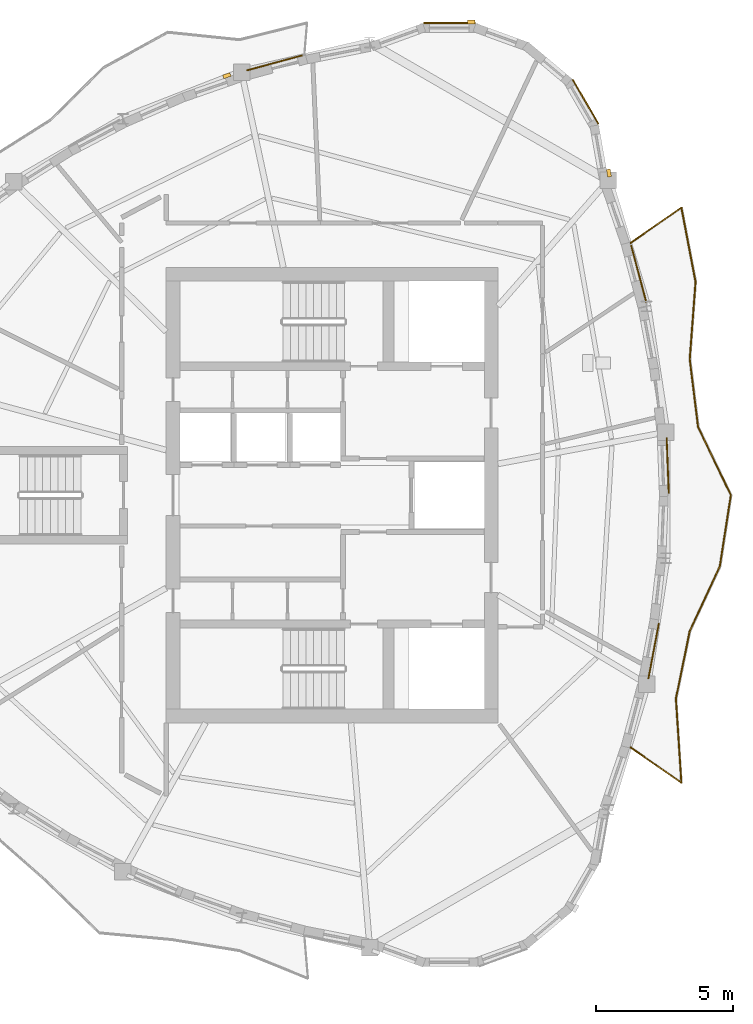
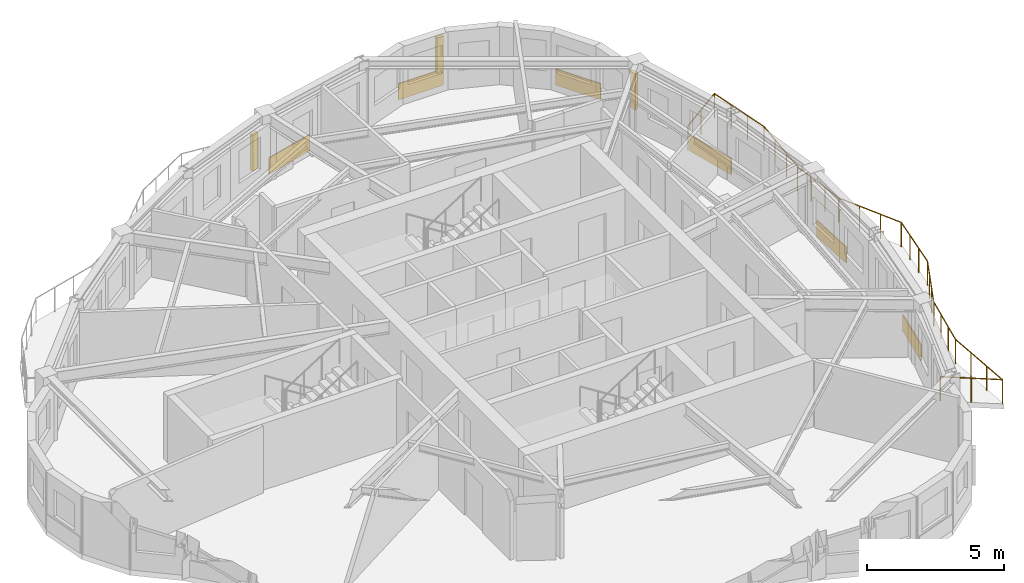
# One storey, part 10 of 11: 6 coverings, 3 shading devices, 1 railing.
"""IFC4 building model written with IfcOpenShell, lengths in metres."""

from ifc_helpers import new_model, si_unit, direction, frame, origin, origin_2d, place, context, subcontext, project, spatial, rectangle, circle, extrude, source, transform, mapped, material, layer, layer_set, type_object, element, save


model = new_model("IFC4")

# Units and contexts
model_context = context("Model", 3, precision=1e-05, world=origin(), true_north=direction((0.0, 1.0)))
body_context = subcontext(model_context, "Body", "Model", "MODEL_VIEW")
ifc_project = project(units=[si_unit("LENGTHUNIT", "METRE"), si_unit("AREAUNIT", "SQUARE_METRE"), si_unit("VOLUMEUNIT", "CUBIC_METRE"), si_unit("PLANEANGLEUNIT", "RADIAN"), si_unit("MASSUNIT", "GRAM", prefix="KILO")], contexts=[model_context])

# Site, building, storey
site_placement = place(None, origin())
site = spatial("IfcSite", under=ifc_project, at=site_placement, CompositionType="ELEMENT")
building_placement = place(site_placement, origin())
building = spatial("IfcBuilding", under=site, at=building_placement, Name="Qafzar Sky-Pleat Residences", CompositionType="ELEMENT")
storey_placement = place(building_placement, frame((0.0, 0.0, 218.0)))
storey = spatial("IfcBuildingStorey", under=building, at=storey_placement, Name="L65", CompositionType="ELEMENT", Elevation=218.0)

# Shading devices
ifc_material_1 = material(Name="Honed Riyadh limestone solar fin", Category="masonry")
ifc_layer_1 = layer(ifc_material_1, 0.139892578125)
ifc_layer_set_1 = layer_set([ifc_layer_1], Name="Honed Riyadh limestone solar fin")
shading_device_type = type_object("IfcShadingDeviceType", Name="SHD-FIN-STONE", PredefinedType="SHUTTER", material=ifc_layer_set_1)
shared_shape_1 = source(origin(), body_context, "Body", "SweptSolid", [
    extrude(rectangle(XDim=0.139892578125, YDim=0.280029296875, at=origin_2d()), origin(), (0.0, 0.0, 1.0), 1.60009765625),
])
for number, where, z_axis, x_axis, name in (
    (1, (40.443603515625, 37.743408203125, 0.599853515625), (0.0, 0.0, 1.0), (0.984807537751, 0.173649398471, 0.0), "L65 Limestone Solar Fin 33"),
    (2, (35.429931640625, 43.251708984375, 0.599853515625), (0.0, 0.0, 1.0), (0.0, 1.0, 0.0), "L65 Limestone Solar Fin 37"),
    (3, (26.514404296875, 41.292236328125, 0.599853515625), (0.0, 0.0, 1.0), (-0.329539896902, 0.944141650575, 0.0), "L65 Limestone Solar Fin 41"),
):
    element("IfcShadingDevice", number, at=place(storey_placement, frame(where, z_axis=z_axis, x_axis=x_axis)), inside=storey, type_object=shading_device_type, Name=name, PredefinedType="SHUTTER", context=body_context, shape_type="MappedRepresentation", body=[
        mapped(shared_shape_1, transform((0.0, 0.0, 0.0), x_axis=(1.0, 0.0, 0.0), y_axis=(0.0, 1.0, 0.0), z_axis=(0.0, 0.0, 1.0), scale=1.0)),
    ])

# Coverings
ifc_material_2 = material(Name="Honed Riyadh Tuwaiq limestone cladding", Category="masonry")
ifc_layer_2 = layer(ifc_material_2, 0.044921875)
ifc_layer_set_2 = layer_set([ifc_layer_2], Name="Honed Riyadh Tuwaiq limestone cladding")
covering_type = type_object("IfcCoveringType", Name="COV-CLAD-STONE", PredefinedType="CLADDING", material=ifc_layer_set_2)
shared_shape_2 = source(origin(), body_context, "Body", "SweptSolid", [
    extrude(rectangle(XDim=1.88134765625, YDim=0.044921875, at=origin_2d()), origin(), (0.0, 0.0, 1.0), 0.719970703125),
])
covering_1_placement = place(storey_placement, frame((34.625, 43.208740234375, 0.02001953125), z_axis=(0.0, 0.0, 1.0), x_axis=(-1.0, 0.0, 0.0)))
element("IfcCovering", 4, at=covering_1_placement, inside=storey, type_object=covering_type, Name="L65 Riyadh Limestone Spandrel Cladding 37", PredefinedType="CLADDING", context=body_context, shape_type="MappedRepresentation", body=[
    mapped(shared_shape_2, transform((0.0, 0.0, 0.0), x_axis=(1.0, 0.0, 0.0), y_axis=(0.0, 1.0, 0.0), z_axis=(0.0, 0.0, 1.0), scale=1.0)),
])
shared_shape_3 = source(origin(), body_context, "Body", "SweptSolid", [
    extrude(rectangle(XDim=1.881103515625, YDim=0.044921875, at=origin_2d()), origin(), (0.0, 0.0, 1.0), 0.719970703125),
])
covering_2_placement = place(storey_placement, frame((39.5908203125, 40.341796875, 0.02001953125), z_axis=(0.0, 0.0, 1.0), x_axis=(-0.499993018474, 0.866029434533, 0.0)))
element("IfcCovering", 5, at=covering_2_placement, inside=storey, type_object=covering_type, Name="L65 Riyadh Limestone Spandrel Cladding 34", PredefinedType="CLADDING", context=body_context, shape_type="MappedRepresentation", body=[
    mapped(shared_shape_3, transform((0.0, 0.0, 0.0), x_axis=(1.0, 0.0, 0.0), y_axis=(0.0, 1.0, 0.0), z_axis=(0.0, 0.0, 1.0), scale=1.0)),
])

# Railing
ifc_material_3 = material(Name="Laminated glass and bronze steel balustrade", Category="steel")
railing_type = type_object("IfcRailingType", Name="RAIL-BAL-1100", PredefinedType="BALUSTRADE", material=ifc_material_3)
shared_shape_4 = source(origin(), body_context, "Body", "SweptSolid", [
    extrude(circle(Radius=0.02392578125, at=origin_2d()), frame((0.0, 0.0, 1.076171875), z_axis=(0.821176833511, -0.570673819361, 0.0), x_axis=(0.570673819361, 0.821176833511, 0.0)), (0.0, 0.0, 1.0), 2.270751953125),
    extrude(circle(Radius=0.02392578125, at=origin_2d()), frame((1.86474609375, -1.2958984375, 1.076171875), z_axis=(-0.064736959789, 0.997902362978, 0.0), x_axis=(-0.997902362978, -0.064736959789, 0.0)), (0.0, 0.0, 1.0), 3.073486328125),
    extrude(circle(Radius=0.02392578125, at=origin_2d()), frame((1.665771484375, 1.771240234375, 1.076171875), z_axis=(0.200506485062, 0.979692374905, 0.0), x_axis=(-0.979692374905, 0.200506485062, 0.0)), (0.0, 0.0, 1.0), 2.511962890625),
    extrude(circle(Radius=0.02392578125, at=origin_2d()), frame((2.16943359375, 4.232177734375, 1.076171875), z_axis=(0.422359311147, 0.90642849265, 0.0), x_axis=(-0.90642849265, 0.422359311147, 0.0)), (0.0, 0.0, 1.0), 2.59130859375),
    extrude(circle(Radius=0.02392578125, at=origin_2d()), frame((3.263916015625, 6.5810546875, 1.076171875), z_axis=(0.153323300739, 0.988176080185, 0.0), x_axis=(-0.988176080185, 0.153323300739, 0.0)), (0.0, 0.0, 1.0), 2.636962890625),
    extrude(circle(Radius=0.02392578125, at=origin_2d()), frame((3.668212890625, 9.186767578125, 1.076171875), z_axis=(-0.433863606742, 0.900978562866, 0.0), x_axis=(-0.900978562866, -0.433863606742, 0.0)), (0.0, 0.0, 1.0), 2.75341796875),
    extrude(circle(Radius=0.02392578125, at=origin_2d()), frame((2.4736328125, 11.66748046875, 1.076171875), z_axis=(-0.122045352575, 0.992524524591, 0.0), x_axis=(-0.992524524591, -0.122045352575, 0.0)), (0.0, 0.0, 1.0), 2.492431640625),
    extrude(circle(Radius=0.02392578125, at=origin_2d()), frame((2.16943359375, 14.141357421875, 1.076171875), z_axis=(0.075170135084, 0.997170722992, 0.0), x_axis=(-0.997170722992, 0.075170135084, 0.0)), (0.0, 0.0, 1.0), 2.82568359375),
    extrude(circle(Radius=0.02392578125, at=origin_2d()), frame((2.3818359375, 16.958984375, 1.076171875), z_axis=(-0.187396701496, 0.982284315394, 0.0), x_axis=(-0.982284315394, -0.187396701496, 0.0)), (0.0, 0.0, 1.0), 2.75927734375),
    extrude(circle(Radius=0.02392578125, at=origin_2d()), frame((1.86474609375, 19.66943359375, 1.076171875), z_axis=(-0.821176833511, -0.570673819361, 0.0), x_axis=(0.570673819361, -0.821176833511, 0.0)), (0.0, 0.0, 1.0), 2.270751953125),
    extrude(circle(Radius=0.02099609375, at=origin_2d()), origin(), (0.0, 0.0, 1.0), 1.052001953125),
    extrude(circle(Radius=0.02099609375, at=origin_2d()), frame((0.932373046875, -0.64794921875, 0.0)), (0.0, 0.0, 1.0), 1.052001953125),
    extrude(circle(Radius=0.02099609375, at=origin_2d()), frame((1.86474609375, -1.2958984375, 0.0)), (0.0, 0.0, 1.0), 1.052001953125),
    extrude(circle(Radius=0.02099609375, at=origin_2d()), frame((1.79833984375, -0.2734375, 0.0)), (0.0, 0.0, 1.0), 1.052001953125),
    extrude(circle(Radius=0.02099609375, at=origin_2d()), frame((1.732177734375, 0.748779296875, 0.0)), (0.0, 0.0, 1.0), 1.052001953125),
    extrude(circle(Radius=0.02099609375, at=origin_2d()), frame((1.665771484375, 1.771240234375, 0.0)), (0.0, 0.0, 1.0), 1.052001953125),
    extrude(circle(Radius=0.02099609375, at=origin_2d()), frame((1.833740234375, 2.591552734375, 0.0)), (0.0, 0.0, 1.0), 1.052001953125),
    extrude(circle(Radius=0.02099609375, at=origin_2d()), frame((2.00146484375, 3.411865234375, 0.0)), (0.0, 0.0, 1.0), 1.052001953125),
    extrude(circle(Radius=0.02099609375, at=origin_2d()), frame((2.16943359375, 4.232177734375, 0.0)), (0.0, 0.0, 1.0), 1.052001953125),
    extrude(circle(Radius=0.02099609375, at=origin_2d()), frame((2.5341796875, 5.01513671875, 0.0)), (0.0, 0.0, 1.0), 1.052001953125),
    extrude(circle(Radius=0.02099609375, at=origin_2d()), frame((2.899169921875, 5.798095703125, 0.0)), (0.0, 0.0, 1.0), 1.052001953125),
    extrude(circle(Radius=0.02099609375, at=origin_2d()), frame((3.263916015625, 6.5810546875, 0.0)), (0.0, 0.0, 1.0), 1.052001953125),
    extrude(circle(Radius=0.02099609375, at=origin_2d()), frame((3.398681640625, 7.44970703125, 0.0)), (0.0, 0.0, 1.0), 1.052001953125),
    extrude(circle(Radius=0.02099609375, at=origin_2d()), frame((3.533447265625, 8.318115234375, 0.0)), (0.0, 0.0, 1.0), 1.052001953125),
    extrude(circle(Radius=0.02099609375, at=origin_2d()), frame((3.668212890625, 9.186767578125, 0.0)), (0.0, 0.0, 1.0), 1.052001953125),
    extrude(circle(Radius=0.02099609375, at=origin_2d()), frame((3.27001953125, 10.013671875, 0.0)), (0.0, 0.0, 1.0), 1.052001953125),
    extrude(circle(Radius=0.02099609375, at=origin_2d()), frame((2.871826171875, 10.840576171875, 0.0)), (0.0, 0.0, 1.0), 1.052001953125),
    extrude(circle(Radius=0.02099609375, at=origin_2d()), frame((2.4736328125, 11.66748046875, 0.0)), (0.0, 0.0, 1.0), 1.052001953125),
    extrude(circle(Radius=0.02099609375, at=origin_2d()), frame((2.372314453125, 12.4921875, 0.0)), (0.0, 0.0, 1.0), 1.052001953125),
    extrude(circle(Radius=0.02099609375, at=origin_2d()), frame((2.270751953125, 13.316650390625, 0.0)), (0.0, 0.0, 1.0), 1.052001953125),
    extrude(circle(Radius=0.02099609375, at=origin_2d()), frame((2.16943359375, 14.141357421875, 0.0)), (0.0, 0.0, 1.0), 1.052001953125),
    extrude(circle(Radius=0.02099609375, at=origin_2d()), frame((2.240234375, 15.08056640625, 0.0)), (0.0, 0.0, 1.0), 1.052001953125),
    extrude(circle(Radius=0.02099609375, at=origin_2d()), frame((2.31103515625, 16.019775390625, 0.0)), (0.0, 0.0, 1.0), 1.052001953125),
    extrude(circle(Radius=0.02099609375, at=origin_2d()), frame((2.3818359375, 16.958984375, 0.0)), (0.0, 0.0, 1.0), 1.052001953125),
    extrude(circle(Radius=0.02099609375, at=origin_2d()), frame((2.20947265625, 17.862548828125, 0.0)), (0.0, 0.0, 1.0), 1.052001953125),
    extrude(circle(Radius=0.02099609375, at=origin_2d()), frame((2.037109375, 18.765869140625, 0.0)), (0.0, 0.0, 1.0), 1.052001953125),
    extrude(circle(Radius=0.02099609375, at=origin_2d()), frame((1.86474609375, 19.66943359375, 0.0)), (0.0, 0.0, 1.0), 1.052001953125),
    extrude(circle(Radius=0.02099609375, at=origin_2d()), frame((0.932373046875, 19.021484375, 0.0)), (0.0, 0.0, 1.0), 1.052001953125),
    extrude(circle(Radius=0.02099609375, at=origin_2d()), frame((0.0, 18.37353515625, 0.0)), (0.0, 0.0, 1.0), 1.052001953125),
])
railing_placement = place(storey_placement, frame((41.2197265625, 16.813232421875, 0.0)))
element("IfcRailing", 6, at=railing_placement, inside=storey, type_object=railing_type, Name="L65 Pleated Balcony 1 Balustrade", PredefinedType="BALUSTRADE", context=body_context, shape_type="MappedRepresentation", body=[
    mapped(shared_shape_4, transform((0.0, 0.0, 0.0), x_axis=(1.0, 0.0, 0.0), y_axis=(0.0, 1.0, 0.0), z_axis=(0.0, 0.0, 1.0), scale=1.0)),
])

# Coverings
shared_shape_5 = source(origin(), body_context, "Body", "SweptSolid", [
    extrude(rectangle(XDim=2.0556640625, YDim=0.044921875, at=origin_2d()), origin(), (0.0, 0.0, 1.0), 0.719970703125),
])
covering_3_placement = place(storey_placement, frame((42.072021484375, 20.3212890625, 0.02001953125), z_axis=(0.0, 0.0, 1.0), x_axis=(0.186685576999, 0.98241971445, 0.0)))
element("IfcCovering", 7, at=covering_3_placement, inside=storey, type_object=covering_type, Name="L65 Riyadh Limestone Spandrel Cladding 25", PredefinedType="CLADDING", context=body_context, shape_type="MappedRepresentation", body=[
    mapped(shared_shape_5, transform((0.0, 0.0, 0.0), x_axis=(1.0, 0.0, 0.0), y_axis=(0.0, 1.0, 0.0), z_axis=(0.0, 0.0, 1.0), scale=1.0)),
])
shared_shape_6 = source(origin(), body_context, "Body", "SweptSolid", [
    extrude(rectangle(XDim=2.020263671875, YDim=0.044921875, at=origin_2d()), origin(), (0.0, 0.0, 1.0), 0.719970703125),
])
covering_4_placement = place(storey_placement, frame((42.5859375, 27.08447265625, 0.02001953125), z_axis=(0.0, 0.0, 1.0), x_axis=(-0.038001954887, 0.999277664828, 0.0)))
element("IfcCovering", 8, at=covering_4_placement, inside=storey, type_object=covering_type, Name="L65 Riyadh Limestone Spandrel Cladding 28", PredefinedType="CLADDING", context=body_context, shape_type="MappedRepresentation", body=[
    mapped(shared_shape_6, transform((0.0, 0.0, 0.0), x_axis=(1.0, 0.0, 0.0), y_axis=(0.0, 1.0, 0.0), z_axis=(0.0, 0.0, 1.0), scale=1.0)),
])
shared_shape_7 = source(origin(), body_context, "Body", "SweptSolid", [
    extrude(rectangle(XDim=2.153564453125, YDim=0.044921875, at=origin_2d()), origin(), (0.0, 0.0, 1.0), 0.719970703125),
])
covering_5_placement = place(storey_placement, frame((41.52880859375, 34.066162109375, 0.02001953125), z_axis=(0.0, 0.0, 1.0), x_axis=(-0.257022703512, 0.966405365196, 0.0)))
element("IfcCovering", 9, at=covering_5_placement, inside=storey, type_object=covering_type, Name="L65 Riyadh Limestone Spandrel Cladding 31", PredefinedType="CLADDING", context=body_context, shape_type="MappedRepresentation", body=[
    mapped(shared_shape_7, transform((0.0, 0.0, 0.0), x_axis=(1.0, 0.0, 0.0), y_axis=(0.0, 1.0, 0.0), z_axis=(0.0, 0.0, 1.0), scale=1.0)),
])
shared_shape_8 = source(origin(), body_context, "Body", "SweptSolid", [
    extrude(rectangle(XDim=2.090576171875, YDim=0.044921875, at=origin_2d()), origin(), (0.0, 0.0, 1.0), 0.719970703125),
])
covering_6_placement = place(storey_placement, frame((28.2548828125, 41.758544921875, 0.02001953125), z_axis=(0.0, 0.0, 1.0), x_axis=(-0.965461793554, -0.260544670235, 0.0)))
element("IfcCovering", 10, at=covering_6_placement, inside=storey, type_object=covering_type, Name="L65 Riyadh Limestone Spandrel Cladding 40", PredefinedType="CLADDING", context=body_context, shape_type="MappedRepresentation", body=[
    mapped(shared_shape_8, transform((0.0, 0.0, 0.0), x_axis=(1.0, 0.0, 0.0), y_axis=(0.0, 1.0, 0.0), z_axis=(0.0, 0.0, 1.0), scale=1.0)),
])

save(model, "model.ifc")
